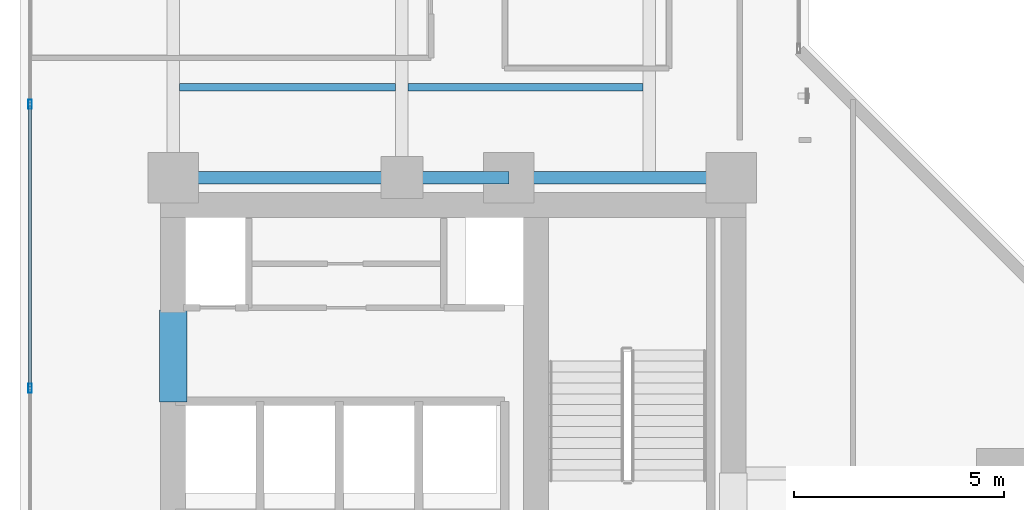
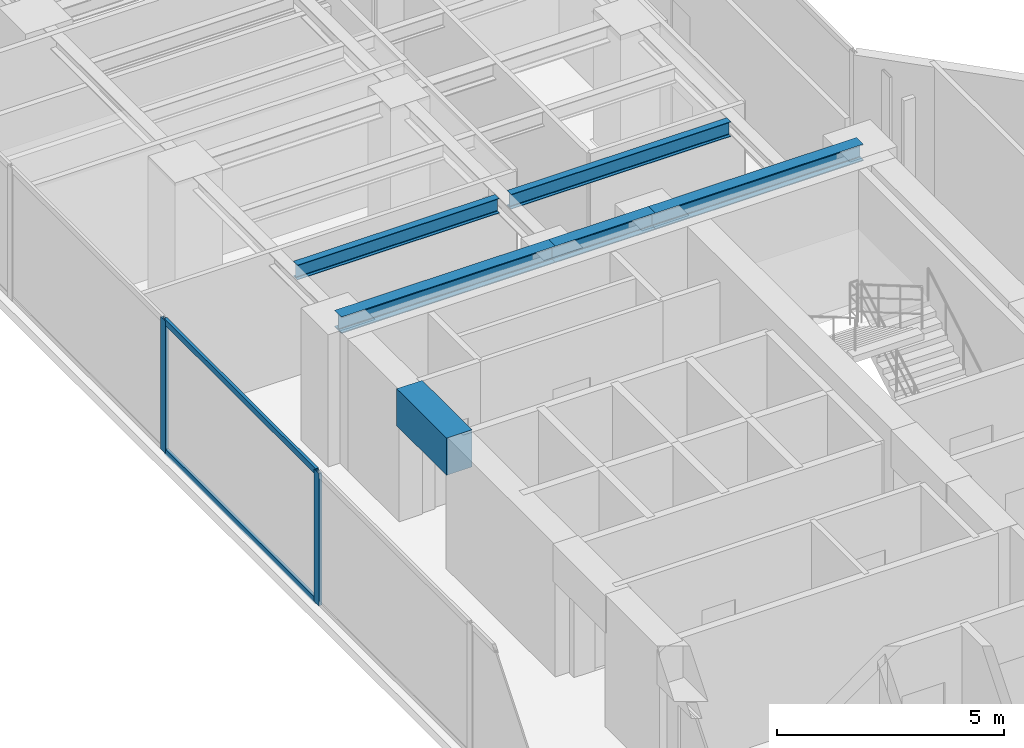
# One storey, part 6 of 26: 6 beams, 4 members, 1 element without a shape of its own.
"""IFC4 building model written with IfcOpenShell, lengths in metres."""

from ifc_helpers import new_model, si_unit, direction, frame, origin, origin_with_axes, origin_2d, place, context, subcontext, project, spatial, rectangle, hollow_rectangle, i_section, extrude, source, transform, mapped, material, layer, layer_set, material_profile, profile_set, type_object, element, aggregate, save


model = new_model("IFC4")

# Units and contexts
model_context = context("Model", 3, precision=1e-05, world=origin(), true_north=direction((0.0, 1.0)))
body_context = subcontext(model_context, "Body", "Model", "MODEL_VIEW")
ifc_project = project(units=[si_unit("LENGTHUNIT", "METRE"), si_unit("AREAUNIT", "SQUARE_METRE"), si_unit("VOLUMEUNIT", "CUBIC_METRE"), si_unit("PLANEANGLEUNIT", "RADIAN"), si_unit("MASSUNIT", "GRAM", prefix="KILO")], contexts=[model_context])

# Site, building, storey
site_placement = place(None, origin())
site = spatial("IfcSite", under=ifc_project, at=site_placement, CompositionType="ELEMENT")
building_placement = place(site_placement, origin())
building = spatial("IfcBuilding", under=site, at=building_placement, Name="Kolvaren Waterfront Exchange", CompositionType="ELEMENT")
storey_placement = place(building_placement, frame((0.0, 0.0, 150.0)))
storey = spatial("IfcBuildingStorey", under=building, at=storey_placement, Name="L38", CompositionType="ELEMENT", Elevation=150.0)

# Beams
ifc_material_1 = material(Name="Steel S355", Category="steel")
ifc_material_profile_1 = material_profile(ifc_material_1, i_section(OverallWidth=0.300048828125, OverallDepth=0.449951171875, WebThickness=0.013916015625, FlangeThickness=0.02587890625, FilletRadius=0.027099609375, at=origin_2d()), Name="HEB450")
ifc_profile_set_1 = profile_set([ifc_material_profile_1], Name="Steel S355")
beam_type_1 = type_object("IfcBeamType", Name="STR-BM-HEB450", PredefinedType="BEAM", material=ifc_profile_set_1)
beam_1_placement = place(storey_placement, frame((7.449951171875, 24.449951171875, 3.3349609375), z_axis=(1.0, 0.0, 0.0), x_axis=(0.0, 1.0, 0.0)))
element("IfcBeam", 1, at=beam_1_placement, inside=storey, type_object=beam_type_1, Name="L38 north-arm girder 1A", PredefinedType="BEAM", context=body_context, shape_type="SweptSolid", body=[
    extrude(i_section(OverallWidth=0.300048828125, OverallDepth=0.449951171875, WebThickness=0.013916015625, FlangeThickness=0.02587890625, FilletRadius=0.027099609375, at=origin_2d()), origin(), (0.0, 0.0, 1.0), 5.449951171875),
])
beam_2_placement = place(storey_placement, frame((12.89990234375, 24.449951171875, 3.3349609375), z_axis=(1.0, 0.0, 0.0), x_axis=(0.0, 1.0, 0.0)))
element("IfcBeam", 2, at=beam_2_placement, inside=storey, type_object=beam_type_1, Name="L38 north-arm girder 1B", PredefinedType="BEAM", context=body_context, shape_type="SweptSolid", body=[
    extrude(i_section(OverallWidth=0.300048828125, OverallDepth=0.449951171875, WebThickness=0.013916015625, FlangeThickness=0.02587890625, FilletRadius=0.027099609375, at=origin_2d()), origin(), (0.0, 0.0, 1.0), 2.550048828125),
])
beam_3_placement = place(storey_placement, frame((15.449951171875, 24.449951171875, 3.3349609375), z_axis=(1.0, 0.0, 0.0), x_axis=(0.0, 1.0, 0.0)))
element("IfcBeam", 3, at=beam_3_placement, inside=storey, type_object=beam_type_1, Name="L38 north-arm girder 1C", PredefinedType="BEAM", context=body_context, shape_type="SweptSolid", body=[
    extrude(i_section(OverallWidth=0.300048828125, OverallDepth=0.449951171875, WebThickness=0.013916015625, FlangeThickness=0.02587890625, FilletRadius=0.027099609375, at=origin_2d()), origin(), (0.0, 0.0, 1.0), 5.300048828125),
])
ifc_material_profile_2 = material_profile(ifc_material_1, i_section(OverallWidth=0.179931640625, OverallDepth=0.39990234375, WebThickness=0.008544921875, FlangeThickness=0.013427734375, FilletRadius=0.02099609375, at=origin_2d()), Name="IPE400")
ifc_profile_set_2 = profile_set([ifc_material_profile_2], Name="Steel S355")
beam_type_2 = type_object("IfcBeamType", Name="STR-BM-IPE400", PredefinedType="JOIST", material=ifc_profile_set_2)
beam_4_placement = place(storey_placement, frame((7.60205078125, 26.60009765625, 3.360107421875), z_axis=(1.0, 0.0, 0.0), x_axis=(0.0, 1.0, 0.0)))
element("IfcBeam", 4, at=beam_4_placement, inside=storey, type_object=beam_type_2, Name="L38 north-arm composite joist 1A", PredefinedType="JOIST", context=body_context, shape_type="SweptSolid", body=[
    extrude(i_section(OverallWidth=0.179931640625, OverallDepth=0.39990234375, WebThickness=0.008544921875, FlangeThickness=0.013427734375, FilletRadius=0.02099609375, at=origin_2d()), origin(), (0.0, 0.0, 1.0), 5.14599609375),
])
beam_5_placement = place(storey_placement, frame((13.052001953125, 26.60009765625, 3.360107421875), z_axis=(1.0, 0.0, 0.0), x_axis=(0.0, 1.0, 0.0)))
element("IfcBeam", 5, at=beam_5_placement, inside=storey, type_object=beam_type_2, Name="L38 north-arm composite joist 1B", PredefinedType="JOIST", context=body_context, shape_type="SweptSolid", body=[
    extrude(i_section(OverallWidth=0.179931640625, OverallDepth=0.39990234375, WebThickness=0.008544921875, FlangeThickness=0.013427734375, FilletRadius=0.02099609375, at=origin_2d()), origin(), (0.0, 0.0, 1.0), 5.595947265625),
])
ifc_material_2 = material(Name="Concrete C60/75", Category="concrete")
ifc_material_profile_3 = material_profile(ifc_material_2, rectangle(XDim=0.64990234375, YDim=1.0, at=origin_2d()), Name="RC-CB-1000x650")
ifc_profile_set_3 = profile_set([ifc_material_profile_3], Name="Concrete C60/75")
beam_type_3 = type_object("IfcBeamType", Name="STR-CB-1000", PredefinedType="SPANDREL", material=ifc_profile_set_3)
beam_6_placement = place(storey_placement, frame((7.449951171875, 19.10009765625, 3.06005859375), z_axis=(0.0, 1.0, 0.0), x_axis=(-1.0, 0.0, 0.0)))
element("IfcBeam", 6, at=beam_6_placement, inside=storey, type_object=beam_type_3, Name="L38 core coupling beam 5", PredefinedType="SPANDREL", context=body_context, shape_type="SweptSolid", body=[
    extrude(rectangle(XDim=0.64990234375, YDim=1.0, at=origin_2d()), origin(), (0.0, 0.0, 1.0), 2.199951171875),
])

# Curtain wall, members
ifc_material_3 = material(Name="Anodised aluminium 6063-T6", Category="aluminium")
ifc_layer = layer(ifc_material_3, 0.219970703125, Name="Anodised aluminium 6063-T6")
ifc_layer_set = layer_set([ifc_layer], Name="Anodised aluminium 6063-T6")
curtain_wall_type = type_object("IfcCurtainWallType", Name="ARC-CW-SYS2", PredefinedType="USERDEFINED", material=ifc_layer_set)
curtain_wall_placement = place(storey_placement, origin())
curtain_wall = element("IfcCurtainWall", 7, at=curtain_wall_placement, inside=storey, type_object=curtain_wall_type, Name="L38 stick curtain wall CW2 (CW-L38-W)", ObjectType="STICK CURTAIN WALL", PredefinedType="USERDEFINED")
ifc_material_profile_4 = material_profile(ifc_material_3, hollow_rectangle(XDim=0.080078125, YDim=0.219970703125, WallThickness=0.0048828125, at=origin_2d()), Name="ALU-MUL-220x80x5")
ifc_profile_set_4 = profile_set([ifc_material_profile_4], Name="Anodised aluminium 6063-T6")
member_type_1 = type_object("IfcMemberType", Name="ARC-CWM-220", PredefinedType="MULLION", material=ifc_profile_set_4)
shared_shape_1 = source(origin_with_axes(), body_context, "Body", "SweptSolid", [
    extrude(hollow_rectangle(XDim=0.080078125, YDim=0.219970703125, WallThickness=0.0048828125, at=origin_2d()), origin(), (0.0, 0.0, 1.0), 3.56005859375),
])
member_1_placement = place(storey_placement, frame((4.0400390625, 19.433349609375, 0.0), z_axis=(0.0, 0.0, 1.0), x_axis=(-1.0, 0.0, 0.0)))
member_1 = element("IfcMember", 8, at=member_1_placement, type_object=member_type_1, Name="CW2 mullion 3", PredefinedType="MULLION", context=body_context, shape_type="MappedRepresentation", body=[
    mapped(shared_shape_1, transform((0.0, 0.0, 0.0), x_axis=(1.0, 0.0, 0.0), y_axis=(0.0, 1.0, 0.0), z_axis=(0.0, 0.0, 1.0), scale=1.0)),
])
member_2_placement = place(storey_placement, frame((4.0400390625, 26.199951171875, 0.0), z_axis=(0.0, 0.0, 1.0), x_axis=(-1.0, 0.0, 0.0)))
member_2 = element("IfcMember", 9, at=member_2_placement, type_object=member_type_1, Name="CW2 mullion 4", PredefinedType="MULLION", context=body_context, shape_type="MappedRepresentation", body=[
    mapped(shared_shape_1, transform((0.0, 0.0, 0.0), x_axis=(1.0, 0.0, 0.0), y_axis=(0.0, 1.0, 0.0), z_axis=(0.0, 0.0, 1.0), scale=1.0)),
])
ifc_material_profile_5 = material_profile(ifc_material_3, hollow_rectangle(XDim=0.074951171875, YDim=0.159912109375, WallThickness=0.00439453125, at=origin_2d()), Name="ALU-TRN-160x75x4.5")
ifc_profile_set_5 = profile_set([ifc_material_profile_5], Name="Anodised aluminium 6063-T6")
member_type_2 = type_object("IfcMemberType", Name="ARC-CWT-160", PredefinedType="USERDEFINED", material=ifc_profile_set_5)
shared_shape_2 = source(origin_with_axes(), body_context, "Body", "SweptSolid", [
    extrude(hollow_rectangle(XDim=0.074951171875, YDim=0.159912109375, WallThickness=0.00439453125, at=origin_2d()), origin(), (0.0, 0.0, 1.0), 6.6865234375),
])
member_3_placement = place(storey_placement, frame((4.0400390625, 19.473388671875, 0.03759765625), z_axis=(0.0, 1.0, 0.0), x_axis=(-1.0, 0.0, 0.0)))
member_3 = element("IfcMember", 10, at=member_3_placement, type_object=member_type_2, Name="CW2 transom 3.1", ObjectType="TRANSOM", PredefinedType="USERDEFINED", context=body_context, shape_type="MappedRepresentation", body=[
    mapped(shared_shape_2, transform((0.0, 0.0, 0.0), x_axis=(1.0, 0.0, 0.0), y_axis=(0.0, 1.0, 0.0), z_axis=(0.0, 0.0, 1.0), scale=1.0)),
])
member_4_placement = place(storey_placement, frame((4.0400390625, 19.473388671875, 3.5224609375), z_axis=(0.0, 1.0, 0.0), x_axis=(-1.0, 0.0, 0.0)))
member_4 = element("IfcMember", 11, at=member_4_placement, type_object=member_type_2, Name="CW2 transom 3.2", ObjectType="TRANSOM", PredefinedType="USERDEFINED", context=body_context, shape_type="MappedRepresentation", body=[
    mapped(shared_shape_2, transform((0.0, 0.0, 0.0), x_axis=(1.0, 0.0, 0.0), y_axis=(0.0, 1.0, 0.0), z_axis=(0.0, 0.0, 1.0), scale=1.0)),
])
aggregate(curtain_wall, [member_1, member_2, member_3, member_4])

save(model, "model.ifc")
